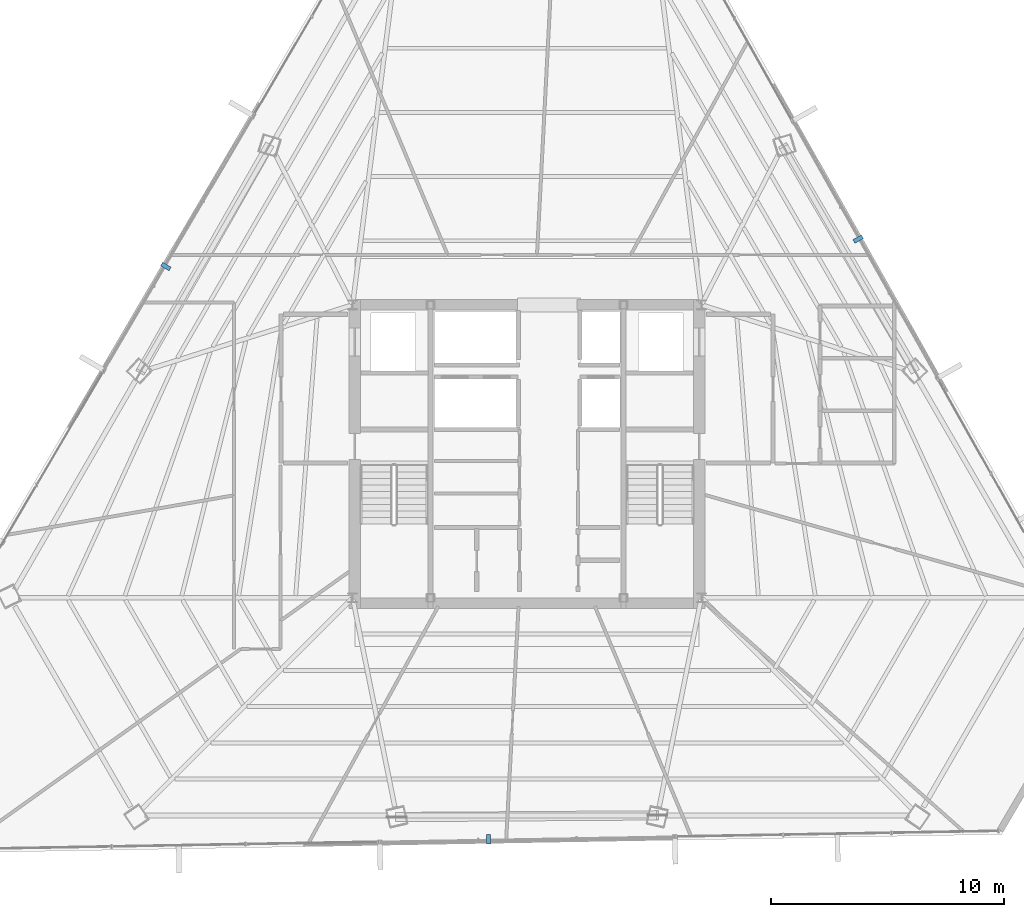
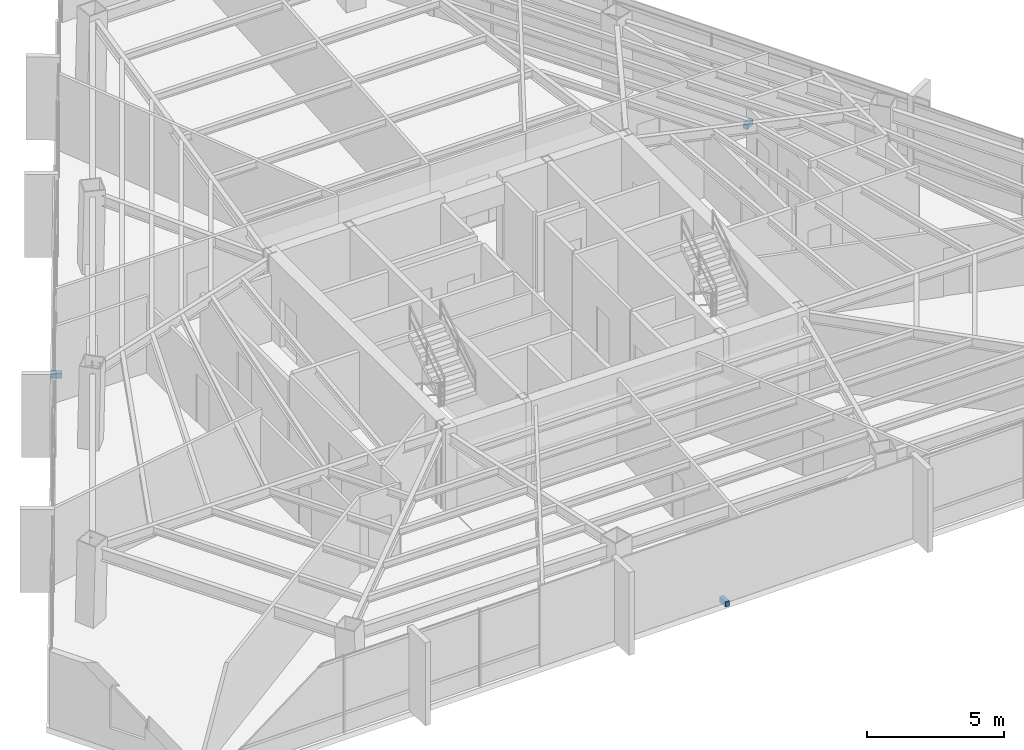
# One storey, part 38 of 42: 3 discrete accessories.
"""IFC4 building model written with IfcOpenShell, lengths in metres."""

from ifc_helpers import new_model, si_unit, direction, frame, origin, origin_2d, place, context, subcontext, project, spatial, rectangle, extrude, source, transform, mapped, material, type_object, type_shapes, element, save


model = new_model("IFC4")

# Units and contexts
model_context = context("Model", 3, precision=1e-05, world=origin(), true_north=direction((0.0, 1.0)))
body_context = subcontext(model_context, "Body", "Model", "MODEL_VIEW")
ifc_project = project(units=[si_unit("LENGTHUNIT", "METRE"), si_unit("AREAUNIT", "SQUARE_METRE"), si_unit("VOLUMEUNIT", "CUBIC_METRE"), si_unit("PLANEANGLEUNIT", "RADIAN"), si_unit("MASSUNIT", "GRAM", prefix="KILO")], contexts=[model_context])

# Site, building, storey
site_placement = place(None, origin())
site = spatial("IfcSite", under=ifc_project, at=site_placement, CompositionType="ELEMENT")
building_placement = place(site_placement, origin())
building = spatial("IfcBuilding", under=site, at=building_placement, Name="Caelisora Broadcast Tower", CompositionType="ELEMENT")
storey_placement = place(building_placement, frame((0.0, 0.0, 187.699951171875)))
storey = spatial("IfcBuildingStorey", under=building, at=storey_placement, Name="L49", CompositionType="ELEMENT", Elevation=187.699951171875)

# Discrete accessories
ifc_material = material(Name="Steel Grade 350 (AS/NZS 3679.1)", Category="steel")
discrete_accessory_type = type_object("IfcDiscreteAccessoryType", Name="BRK-1", PredefinedType="BRACKET", material=ifc_material)
shared_shape = source(origin(), body_context, "Body", "SweptSolid", [
    extrude(rectangle(XDim=0.179931640625, YDim=0.419921875, at=origin_2d()), origin(), (0.0, 0.0, 1.0), 0.219970703125),
])
type_shapes(discrete_accessory_type, [shared_shape])
for number, where, z_axis, x_axis, name in (
    (1, (22.466796875, 31.6513671875, -0.16015625), (0.0, 0.0, 1.0), (-0.506334807353, -0.862336977557, 0.0), "L49 solar screen outrigger bracket #1"),
    (2, (36.347900390625, 7.0166015625, -0.16015625), (0.0, 0.0, 1.0), (0.999844633908, 0.017626912514, 0.0), "L49 solar screen outrigger bracket #2"),
    (3, (52.24267578125, 32.82861328125, -0.16015625), (0.0, 0.0, 1.0), (-0.491055801632, 0.871128118983, 0.0), "L49 solar screen outrigger bracket #3"),
):
    element("IfcDiscreteAccessory", number, at=place(storey_placement, frame(where, z_axis=z_axis, x_axis=x_axis)), inside=storey, type_object=discrete_accessory_type, Name=name, PredefinedType="BRACKET", context=body_context, shape_type="MappedRepresentation", body=[
        mapped(shared_shape, transform((0.0, 0.0, 0.0), scale=1.0)),
    ])

save(model, "model.ifc")
